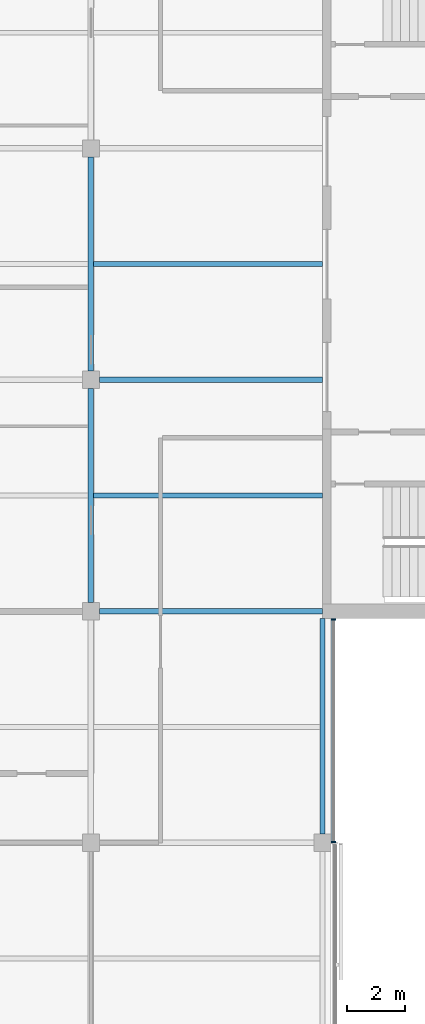
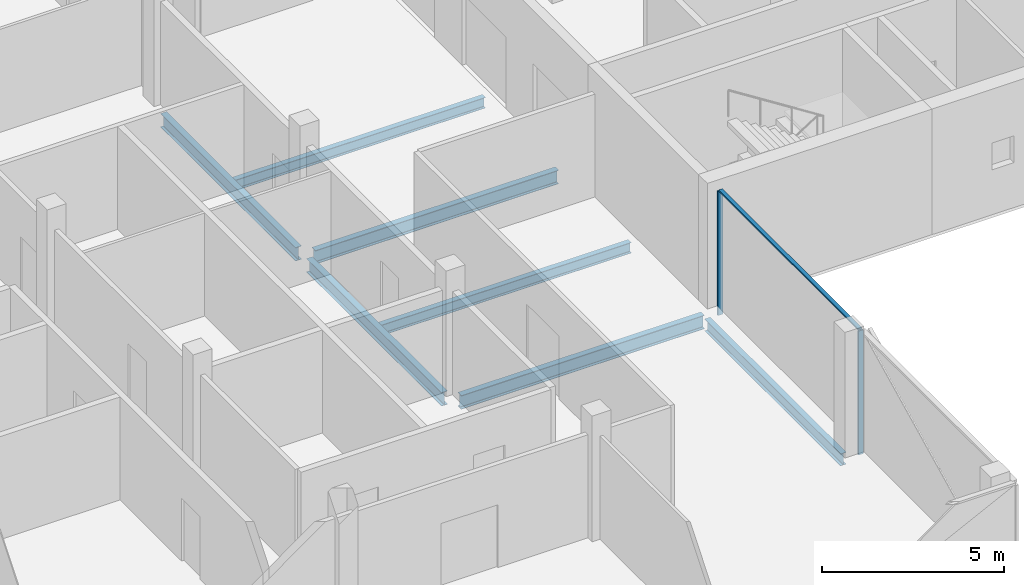
# One storey, part 4 of 15: 7 beams, 3 members, 1 element without a shape of its own.
"""IFC4 building model written with IfcOpenShell, lengths in metres."""

import ifcopenshell
import ifcopenshell.guid

model = None  # the IFC model being written
_history = None  # IfcOwnerHistory: only IFC2X3 demands one
_inside = {}  # id of a spatial element -> (the spatial element, [elements in it])
_under = {}  # id of a project, library or spatial element -> (it, [spatial elements below it])
_declared = {}  # id of a project -> (the project, [libraries it declares])
_typed = {}  # id of a type object -> (the type object, [elements of that type])
_made_of = {}  # id of a material, layer set ... -> (it, [elements and type objects made of it])


def new_model(schema):
    """Start an empty IFC model of exactly this schema.

    Asked for "IFC4X3", IfcOpenShell would pick the latest addendum, in which some entities
    have other attributes; the version numbers below select the first issue.
    IFC2X3 requires an IfcOwnerHistory on every rooted entity: one is made here for all.
    """
    global model, _history
    if schema == "IFC4X3":
        model = ifcopenshell.file(schema_version=(4, 3, 0, 0))
    else:
        model = ifcopenshell.file(schema=schema)
    _inside.clear()
    _under.clear()
    _declared.clear()
    _typed.clear()
    _made_of.clear()
    _history = None
    if model.schema == "IFC2X3":
        org = make("IfcOrganization", Name="unknown")
        user = make(
            "IfcPersonAndOrganization",
            ThePerson=make("IfcPerson", FamilyName="unknown"),
            TheOrganization=org,
        )
        app = make(
            "IfcApplication",
            ApplicationDeveloper=org,
            Version="unknown",
            ApplicationFullName="unknown",
            ApplicationIdentifier="unknown",
        )
        _history = make(
            "IfcOwnerHistory",
            OwningUser=user,
            OwningApplication=app,
            ChangeAction="ADDED",
            CreationDate=0,
        )
    return model


def make(cls, **values):
    """One entity of the class cls with the attributes given. An attribute that is None is left unset."""
    return model.create_entity(
        cls, **{name: value for name, value in values.items() if value is not None}
    )


def rooted(cls, **values):
    """An entity with a GlobalId (a new one), such as an element, a storey or a relation."""
    return make(cls, GlobalId=ifcopenshell.guid.new(), OwnerHistory=_history, **values)


def si_unit(unit_type, name, prefix=None):
    """IfcSIUnit, for example si_unit("LENGTHUNIT", "METRE", prefix="MILLI")."""
    return make("IfcSIUnit", UnitType=unit_type, Prefix=prefix, Name=name)


def assignment(units):
    """IfcUnitAssignment: the units of a project."""
    return None if units is None else make("IfcUnitAssignment", Units=units)


def point(xyz):
    """IfcCartesianPoint."""
    return None if xyz is None else make("IfcCartesianPoint", Coordinates=xyz)


def direction(xyz):
    """IfcDirection."""
    return None if xyz is None else make("IfcDirection", DirectionRatios=xyz)


def frame(location, z_axis=None, x_axis=None):
    """IfcAxis2Placement3D, a coordinate frame: its origin and axes. An axis left out is left unset."""
    return make(
        "IfcAxis2Placement3D",
        Location=point(location),
        Axis=direction(z_axis),
        RefDirection=direction(x_axis),
    )


def frame_2d(location, x_axis=None):
    """IfcAxis2Placement2D, a coordinate frame in the plane: its origin and x axis."""
    return make(
        "IfcAxis2Placement2D", Location=point(location), RefDirection=direction(x_axis)
    )


def origin():
    """The frame at (0, 0, 0) with its axes left unset."""
    return frame((0.0, 0.0, 0.0))


def origin_2d():
    """The frame at (0, 0) in the plane with its x axis left unset."""
    return frame_2d((0.0, 0.0))


def place(relative_to, where):
    """IfcLocalPlacement: puts the frame where relative to a parent placement (None: the world)."""
    return make(
        "IfcLocalPlacement", PlacementRelTo=relative_to, RelativePlacement=where
    )


def context(
    kind, dimensions, precision=None, world=None, true_north=None, identifier=None
):
    """IfcGeometricRepresentationContext, for example the 3D "Model" context."""
    return make(
        "IfcGeometricRepresentationContext",
        ContextIdentifier=identifier,
        ContextType=kind,
        CoordinateSpaceDimension=dimensions,
        Precision=precision,
        WorldCoordinateSystem=world,
        TrueNorth=true_north,
    )


def subcontext(parent, identifier, kind, view, scale=None):
    """IfcGeometricRepresentationSubContext, for example "Body" below "Model"."""
    return make(
        "IfcGeometricRepresentationSubContext",
        ContextIdentifier=identifier,
        ContextType=kind,
        ParentContext=parent,
        TargetScale=scale,
        TargetView=view,
    )


def project(units=None, contexts=None):
    """IfcProject with its units and contexts."""
    return rooted(
        "IfcProject",
        Name="project",
        RepresentationContexts=contexts,
        UnitsInContext=assignment(units),
    )


def spatial(cls, under=None, at=None, **own):
    """A site, building, storey or space (cls), placed at a placement, below another one or the project."""
    s = rooted(cls, ObjectPlacement=at, **own)
    if under is not None:
        _under.setdefault(under.id(), (under, []))[1].append(s)
    return s


def profile(cls, at=None, kind="AREA", **sizes):
    """A parametric profile (cls). Its sizes go by their IFC names, for example OverallWidth=200.0."""
    return make(cls, ProfileType=kind, Position=at, **sizes)


def rectangle(**sizes):
    """IfcRectangleProfileDef."""
    return profile("IfcRectangleProfileDef", **sizes)


def i_section(**sizes):
    """IfcIShapeProfileDef."""
    return profile("IfcIShapeProfileDef", **sizes)


def extrude(swept, where, along, depth):
    """IfcExtrudedAreaSolid: the profile swept, set in the frame where, extruded along a direction by depth."""
    return make(
        "IfcExtrudedAreaSolid",
        SweptArea=swept,
        Position=where,
        ExtrudedDirection=direction(along),
        Depth=depth,
    )


def shape(context_of_items, identifier, shape_type, items):
    """IfcShapeRepresentation: the items that make up one representation, for example the "Body"."""
    return make(
        "IfcShapeRepresentation",
        ContextOfItems=context_of_items,
        RepresentationIdentifier=identifier,
        RepresentationType=shape_type,
        Items=items,
    )


def material(Name=None, Category=None):
    """IfcMaterial."""
    return make("IfcMaterial", Name=Name, Category=Category)


def material_profile(
    of_material, cross_section, Name=None, Category=None, Priority=None
):
    """IfcMaterialProfile: a cross section and its material."""
    return make(
        "IfcMaterialProfile",
        Name=Name,
        Material=of_material,
        Profile=cross_section,
        Priority=Priority,
        Category=Category,
    )


def profile_set(profiles, Name=None, composite=None):
    """IfcMaterialProfileSet."""
    return make(
        "IfcMaterialProfileSet",
        Name=Name,
        MaterialProfiles=profiles,
        CompositeProfile=composite,
    )


def made_of(thing, what):
    """Note that an element or type object is made of a material, layer set ...; save() writes the relation."""
    if what is not None:
        _made_of.setdefault(what.id(), (what, []))[1].append(thing)
    return thing


def type_object(cls, material=None, **own):
    """A type object (cls), such as IfcWallType, which elements share."""
    return made_of(rooted(cls, **own), material)


def element(
    cls,
    number,
    at=None,
    inside=None,
    cuts=None,
    type_object=None,
    material=None,
    context=None,
    identifier="Body",
    shape_type=None,
    held_by="IfcProductDefinitionShape",
    body=None,
    shapes=None,
    **own,
):
    """One element of the class cls, such as IfcWall. Its Tag is "e" and its number.

    at: its placement. inside: the storey or other place that contains it. cuts: it is an
    opening in that element (IfcRelVoidsElement). A single representation is given by context,
    identifier, shape_type and body (its items); several are given by shapes. held_by: the class
    of the entity that holds the representations. save() writes the other relations.
    """
    e = rooted(cls, Tag="e%d" % number, ObjectPlacement=at, **own)
    if body is not None:
        shapes = [shape(context, identifier, shape_type, body)]
    if shapes is not None:
        e.Representation = make(held_by, Representations=shapes)
    if inside is not None:
        _inside.setdefault(inside.id(), (inside, []))[1].append(e)
    if cuts is not None:
        rooted(
            "IfcRelVoidsElement", RelatingBuildingElement=cuts, RelatedOpeningElement=e
        )
    if type_object is not None:
        _typed.setdefault(type_object.id(), (type_object, []))[1].append(e)
    return made_of(e, material)


def aggregate(whole, parts):
    """IfcRelAggregates: a whole, such as a stair, and the parts it consists of."""
    return rooted("IfcRelAggregates", RelatingObject=whole, RelatedObjects=parts)


def save(model, path):
    """Write the relations noted so far, then the file.

    IfcRelAggregates (storeys below a building ...), IfcRelContainedInSpatialStructure (elements
    in a storey), IfcRelDefinesByType, IfcRelAssociatesMaterial and IfcRelDeclares: one each for
    every whole, place, type object, material and project.
    """
    for whole, parts in _under.values():
        aggregate(whole, parts)
    for where, things in _inside.values():
        rooted(
            "IfcRelContainedInSpatialStructure",
            RelatedElements=things,
            RelatingStructure=where,
        )
    for kind, things in _typed.values():
        rooted("IfcRelDefinesByType", RelatedObjects=things, RelatingType=kind)
    for what, things in _made_of.values():
        rooted("IfcRelAssociatesMaterial", RelatedObjects=things, RelatingMaterial=what)
    for by, libraries in _declared.values():
        rooted("IfcRelDeclares", RelatingContext=by, RelatedDefinitions=libraries)
    model.write(path)


model = new_model("IFC4")

# Units and contexts
model_context = context("Model", 3, precision=1e-05, world=origin(), true_north=direction((0.0, 1.0)))
body_context = subcontext(model_context, "Body", "Model", "MODEL_VIEW")
ifc_project = project(units=[si_unit("LENGTHUNIT", "METRE"), si_unit("AREAUNIT", "SQUARE_METRE"), si_unit("VOLUMEUNIT", "CUBIC_METRE"), si_unit("PLANEANGLEUNIT", "RADIAN"), si_unit("MASSUNIT", "GRAM", prefix="KILO")], contexts=[model_context])

# Site, building, storey
site_placement = place(None, origin())
site = spatial("IfcSite", under=ifc_project, at=site_placement, CompositionType="ELEMENT")
building_placement = place(site_placement, origin())
building = spatial("IfcBuilding", under=site, at=building_placement, Name="Crosswind Convention Tower", CompositionType="ELEMENT")
storey_placement = place(building_placement, frame((0.0, 0.0, 319.699951171875)))
storey = spatial("IfcBuildingStorey", under=building, at=storey_placement, Name="L69", CompositionType="ELEMENT", Elevation=319.699951171875)

# Beams
ifc_material_1 = material(Name="Steel S355", Category="steel")
ifc_material_profile_1 = material_profile(ifc_material_1, i_section(OverallWidth=0.177734375, OverallDepth=0.406494140625, WebThickness=0.0078125, FlangeThickness=0.0126953125, FilletRadius=0.01025390625, at=origin_2d()), Name="UB 406x178x60")
ifc_profile_set_1 = profile_set([ifc_material_profile_1], Name="Steel S355")
beam_type_1 = type_object("IfcBeamType", Name="Edge beam UB 406x178x60", PredefinedType="SPANDREL", material=ifc_profile_set_1)
beam_placement = place(storey_placement, frame((137.0, 80.300048828125, -0.503173828125), z_axis=(0.0, 1.0, 0.0), x_axis=(-1.0, 0.0, 0.0)))
element("IfcBeam", 1, at=beam_placement, inside=storey, type_object=beam_type_1, Name="B15 L69 edge beam 12", PredefinedType="SPANDREL", context=body_context, shape_type="SweptSolid", body=[
    extrude(i_section(OverallWidth=0.177734375, OverallDepth=0.406494140625, WebThickness=0.0078125, FlangeThickness=0.0126953125, FilletRadius=0.01025390625, at=origin_2d()), origin(), (0.0, 0.0, 1.0), 7.449951171875),
])
ifc_material_profile_2 = material_profile(ifc_material_1, i_section(OverallWidth=0.18994140625, OverallDepth=0.45361328125, WebThickness=0.008544921875, FlangeThickness=0.0126953125, FilletRadius=0.01025390625, at=origin_2d()), Name="UB 457x191x67")
ifc_profile_set_2 = profile_set([ifc_material_profile_2], Name="Steel S355")
beam_type_2 = type_object("IfcBeamType", Name="Girder UB 457x191x67", PredefinedType="BEAM", material=ifc_profile_set_2)
for number, where, z_axis, x_axis, name in (
    (2, (129.0, 88.300048828125, -0.52685546875), (0.0, 1.0, 0.0), (-1.0, 0.0, 0.0), "B1 L69 girder 18"),
    (3, (129.0, 96.300048828125, -0.52685546875), (0.0, 1.0, 0.0), (-1.0, 0.0, 0.0), "B1 L69 girder 19"),
):
    element("IfcBeam", number, at=place(storey_placement, frame(where, z_axis=z_axis, x_axis=x_axis)), inside=storey, type_object=beam_type_2, Name=name, PredefinedType="BEAM", context=body_context, shape_type="SweptSolid", body=[
        extrude(i_section(OverallWidth=0.18994140625, OverallDepth=0.45361328125, WebThickness=0.008544921875, FlangeThickness=0.0126953125, FilletRadius=0.01025390625, at=origin_2d()), origin(), (0.0, 0.0, 1.0), 7.39990234375),
    ])
ifc_material_profile_3 = material_profile(ifc_material_1, i_section(OverallWidth=0.1904296875, OverallDepth=0.457275390625, WebThickness=0.009033203125, FlangeThickness=0.014404296875, FilletRadius=0.01025390625, at=origin_2d()), Name="UB 457x191x75")
ifc_profile_set_3 = profile_set([ifc_material_profile_3], Name="Steel S355")
beam_type_3 = type_object("IfcBeamType", Name="Girder at core wall UB 457x191x75", PredefinedType="BEAM", material=ifc_profile_set_3)
for number, where, z_axis, x_axis, name in (
    (4, (129.300048828125, 88.0, -0.528564453125), (1.0, 0.0, 0.0), (0.0, 1.0, 0.0), "B22 L69 girder at core wall 5"),
    (5, (129.300048828125, 96.0, -0.528564453125), (1.0, 0.0, 0.0), (0.0, 1.0, 0.0), "B22 L69 girder at core wall 6"),
):
    element("IfcBeam", number, at=place(storey_placement, frame(where, z_axis=z_axis, x_axis=x_axis)), inside=storey, type_object=beam_type_3, Name=name, PredefinedType="BEAM", context=body_context, shape_type="SweptSolid", body=[
        extrude(i_section(OverallWidth=0.1904296875, OverallDepth=0.457275390625, WebThickness=0.009033203125, FlangeThickness=0.014404296875, FilletRadius=0.01025390625, at=origin_2d()), origin(), (0.0, 0.0, 1.0), 7.699951171875),
    ])

# Curtain wall, members
ifc_material_2 = material(Name="Aluminium unitised curtain wall", Category="aluminium")
curtain_wall_type = type_object("IfcCurtainWallType", Name="CORE END SLOT WALL 160", PredefinedType="USERDEFINED", material=ifc_material_2)
curtain_wall_placement = place(storey_placement, origin())
curtain_wall = element("IfcCurtainWall", 6, at=curtain_wall_placement, inside=storey, type_object=curtain_wall_type, Name="CW6 L69 S-E.1-2 slot", ObjectType="UNITISED", PredefinedType="USERDEFINED")
ifc_material_3 = material(Name="Aluminium mullion", Category="aluminium")
ifc_material_profile_4 = material_profile(ifc_material_3, rectangle(XDim=0.159912109375, YDim=0.050048828125, at=origin_2d()), Name="AL 160X50")
ifc_profile_set_4 = profile_set([ifc_material_profile_4], Name="Aluminium mullion")
member_type_1 = type_object("IfcMemberType", Name="MULLION 50X160", PredefinedType="MULLION", material=ifc_profile_set_4)
member_1_placement = place(storey_placement, frame((137.3798828125, 80.02490234375, -0.300048828125), z_axis=(0.0, 0.0, 1.0), x_axis=(1.0, 0.0, 0.0)))
member_1 = element("IfcMember", 7, at=member_1_placement, type_object=member_type_1, Name="CW6 mullion 1", PredefinedType="MULLION", context=body_context, shape_type="SweptSolid", body=[
    extrude(rectangle(XDim=0.159912109375, YDim=0.050048828125, at=origin_2d()), origin(), (0.0, 0.0, 1.0), 4.150146484375),
])
member_2_placement = place(storey_placement, frame((137.3798828125, 87.72509765625, -0.300048828125), z_axis=(0.0, 0.0, 1.0), x_axis=(1.0, 0.0, 0.0)))
member_2 = element("IfcMember", 8, at=member_2_placement, type_object=member_type_1, Name="CW6 mullion 2", PredefinedType="MULLION", context=body_context, shape_type="SweptSolid", body=[
    extrude(rectangle(XDim=0.159912109375, YDim=0.050048828125, at=origin_2d()), origin(), (0.0, 0.0, 1.0), 4.150146484375),
])

# Beams
ifc_material_profile_5 = material_profile(ifc_material_1, i_section(OverallWidth=0.17138671875, OverallDepth=0.355712890625, WebThickness=0.00732421875, FlangeThickness=0.011474609375, FilletRadius=0.01025390625, at=origin_2d()), Name="UB 356x171x51")
ifc_profile_set_5 = profile_set([ifc_material_profile_5], Name="Steel S355")
beam_type_4 = type_object("IfcBeamType", Name="Secondary beam UB 356x171x51", PredefinedType="JOIST", material=ifc_profile_set_5)
for number, where, z_axis, x_axis, name in (
    (9, (129.094970703125, 92.0, -0.477783203125), (1.0, 0.0, 0.0), (0.0, 1.0, 0.0), "B8 L69 secondary beam 17"),
    (10, (129.094970703125, 100.0, -0.477783203125), (1.0, 0.0, 0.0), (0.0, 1.0, 0.0), "B8 L69 secondary beam 18"),
):
    element("IfcBeam", number, at=place(storey_placement, frame(where, z_axis=z_axis, x_axis=x_axis)), inside=storey, type_object=beam_type_4, Name=name, PredefinedType="JOIST", context=body_context, shape_type="SweptSolid", body=[
        extrude(i_section(OverallWidth=0.17138671875, OverallDepth=0.355712890625, WebThickness=0.00732421875, FlangeThickness=0.011474609375, FilletRadius=0.01025390625, at=origin_2d()), origin(), (0.0, 0.0, 1.0), 7.905029296875),
    ])

# Member
ifc_material_4 = material(Name="Aluminium transom", Category="aluminium")
ifc_material_profile_6 = material_profile(ifc_material_4, rectangle(XDim=0.1201171875, YDim=0.050048828125, at=origin_2d()), Name="AL 120X50")
ifc_profile_set_6 = profile_set([ifc_material_profile_6], Name="Aluminium transom")
member_type_2 = type_object("IfcMemberType", Name="TRANSOM 50X120", PredefinedType="USERDEFINED", material=ifc_profile_set_6)
member_3_placement = place(storey_placement, frame((137.3798828125, 80.050048828125, 3.875), z_axis=(0.0, 1.0, 0.0), x_axis=(-1.0, 0.0, 0.0)))
member_3 = element("IfcMember", 11, at=member_3_placement, type_object=member_type_2, Name="CW6 transom", ObjectType="TRANSOM", PredefinedType="USERDEFINED", context=body_context, shape_type="SweptSolid", body=[
    extrude(rectangle(XDim=0.1201171875, YDim=0.050048828125, at=origin_2d()), origin(), (0.0, 0.0, 1.0), 7.64990234375),
])

aggregate(curtain_wall, [member_1, member_2, member_3])

save(model, "model.ifc")
